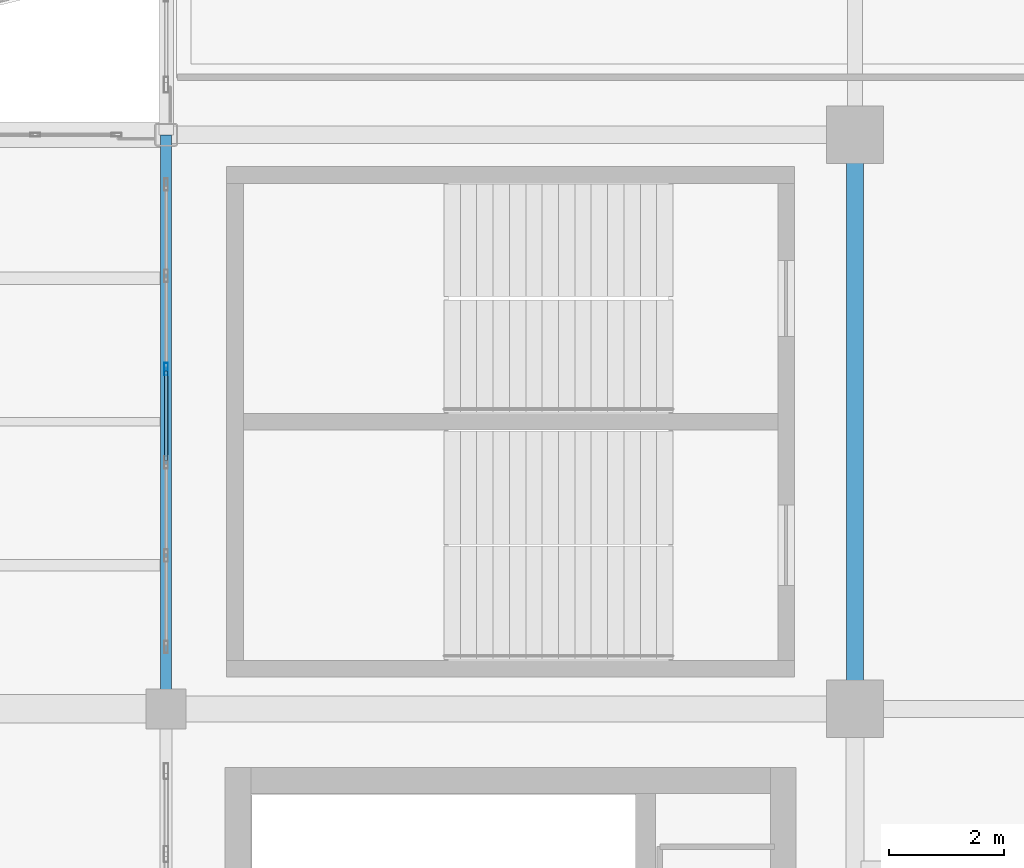
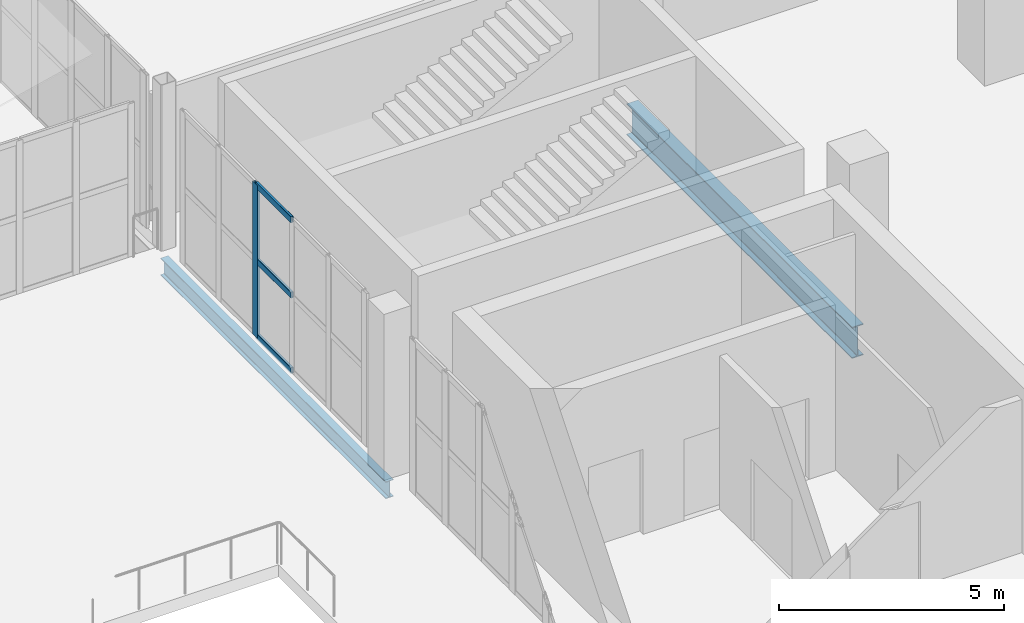
# One storey, part 25 of 108: 4 members, 2 beams, 1 element without a shape of its own.
"""IFC4 building model written with IfcOpenShell, lengths in metres."""

import ifcopenshell
import ifcopenshell.guid

model = None  # the IFC model being written
_history = None  # IfcOwnerHistory: only IFC2X3 demands one
_inside = {}  # id of a spatial element -> (the spatial element, [elements in it])
_under = {}  # id of a project, library or spatial element -> (it, [spatial elements below it])
_declared = {}  # id of a project -> (the project, [libraries it declares])
_typed = {}  # id of a type object -> (the type object, [elements of that type])
_made_of = {}  # id of a material, layer set ... -> (it, [elements and type objects made of it])


def new_model(schema):
    """Start an empty IFC model of exactly this schema.

    Asked for "IFC4X3", IfcOpenShell would pick the latest addendum, in which some entities
    have other attributes; the version numbers below select the first issue.
    IFC2X3 requires an IfcOwnerHistory on every rooted entity: one is made here for all.
    """
    global model, _history
    if schema == "IFC4X3":
        model = ifcopenshell.file(schema_version=(4, 3, 0, 0))
    else:
        model = ifcopenshell.file(schema=schema)
    _inside.clear()
    _under.clear()
    _declared.clear()
    _typed.clear()
    _made_of.clear()
    _history = None
    if model.schema == "IFC2X3":
        org = make("IfcOrganization", Name="unknown")
        user = make(
            "IfcPersonAndOrganization",
            ThePerson=make("IfcPerson", FamilyName="unknown"),
            TheOrganization=org,
        )
        app = make(
            "IfcApplication",
            ApplicationDeveloper=org,
            Version="unknown",
            ApplicationFullName="unknown",
            ApplicationIdentifier="unknown",
        )
        _history = make(
            "IfcOwnerHistory",
            OwningUser=user,
            OwningApplication=app,
            ChangeAction="ADDED",
            CreationDate=0,
        )
    return model


def make(cls, **values):
    """One entity of the class cls with the attributes given. An attribute that is None is left unset."""
    return model.create_entity(
        cls, **{name: value for name, value in values.items() if value is not None}
    )


def rooted(cls, **values):
    """An entity with a GlobalId (a new one), such as an element, a storey or a relation."""
    return make(cls, GlobalId=ifcopenshell.guid.new(), OwnerHistory=_history, **values)


def si_unit(unit_type, name, prefix=None):
    """IfcSIUnit, for example si_unit("LENGTHUNIT", "METRE", prefix="MILLI")."""
    return make("IfcSIUnit", UnitType=unit_type, Prefix=prefix, Name=name)


def assignment(units):
    """IfcUnitAssignment: the units of a project."""
    return None if units is None else make("IfcUnitAssignment", Units=units)


def point(xyz):
    """IfcCartesianPoint."""
    return None if xyz is None else make("IfcCartesianPoint", Coordinates=xyz)


def direction(xyz):
    """IfcDirection."""
    return None if xyz is None else make("IfcDirection", DirectionRatios=xyz)


def frame(location, z_axis=None, x_axis=None):
    """IfcAxis2Placement3D, a coordinate frame: its origin and axes. An axis left out is left unset."""
    return make(
        "IfcAxis2Placement3D",
        Location=point(location),
        Axis=direction(z_axis),
        RefDirection=direction(x_axis),
    )


def frame_2d(location, x_axis=None):
    """IfcAxis2Placement2D, a coordinate frame in the plane: its origin and x axis."""
    return make(
        "IfcAxis2Placement2D", Location=point(location), RefDirection=direction(x_axis)
    )


def origin():
    """The frame at (0, 0, 0) with its axes left unset."""
    return frame((0.0, 0.0, 0.0))


def origin_2d():
    """The frame at (0, 0) in the plane with its x axis left unset."""
    return frame_2d((0.0, 0.0))


def place(relative_to, where):
    """IfcLocalPlacement: puts the frame where relative to a parent placement (None: the world)."""
    return make(
        "IfcLocalPlacement", PlacementRelTo=relative_to, RelativePlacement=where
    )


def context(
    kind, dimensions, precision=None, world=None, true_north=None, identifier=None
):
    """IfcGeometricRepresentationContext, for example the 3D "Model" context."""
    return make(
        "IfcGeometricRepresentationContext",
        ContextIdentifier=identifier,
        ContextType=kind,
        CoordinateSpaceDimension=dimensions,
        Precision=precision,
        WorldCoordinateSystem=world,
        TrueNorth=true_north,
    )


def subcontext(parent, identifier, kind, view, scale=None):
    """IfcGeometricRepresentationSubContext, for example "Body" below "Model"."""
    return make(
        "IfcGeometricRepresentationSubContext",
        ContextIdentifier=identifier,
        ContextType=kind,
        ParentContext=parent,
        TargetScale=scale,
        TargetView=view,
    )


def project(units=None, contexts=None):
    """IfcProject with its units and contexts."""
    return rooted(
        "IfcProject",
        Name="project",
        RepresentationContexts=contexts,
        UnitsInContext=assignment(units),
    )


def spatial(cls, under=None, at=None, **own):
    """A site, building, storey or space (cls), placed at a placement, below another one or the project."""
    s = rooted(cls, ObjectPlacement=at, **own)
    if under is not None:
        _under.setdefault(under.id(), (under, []))[1].append(s)
    return s


def profile(cls, at=None, kind="AREA", **sizes):
    """A parametric profile (cls). Its sizes go by their IFC names, for example OverallWidth=200.0."""
    return make(cls, ProfileType=kind, Position=at, **sizes)


def hollow_rectangle(**sizes):
    """IfcRectangleHollowProfileDef."""
    return profile("IfcRectangleHollowProfileDef", **sizes)


def i_section(**sizes):
    """IfcIShapeProfileDef."""
    return profile("IfcIShapeProfileDef", **sizes)


def extrude(swept, where, along, depth):
    """IfcExtrudedAreaSolid: the profile swept, set in the frame where, extruded along a direction by depth."""
    return make(
        "IfcExtrudedAreaSolid",
        SweptArea=swept,
        Position=where,
        ExtrudedDirection=direction(along),
        Depth=depth,
    )


def shape(context_of_items, identifier, shape_type, items):
    """IfcShapeRepresentation: the items that make up one representation, for example the "Body"."""
    return make(
        "IfcShapeRepresentation",
        ContextOfItems=context_of_items,
        RepresentationIdentifier=identifier,
        RepresentationType=shape_type,
        Items=items,
    )


def material(Name=None, Category=None):
    """IfcMaterial."""
    return make("IfcMaterial", Name=Name, Category=Category)


def layer(
    of_material, thickness, ventilated=None, Name=None, Category=None, Priority=None
):
    """IfcMaterialLayer: one layer of a wall or slab, of a material (None: an air gap)."""
    return make(
        "IfcMaterialLayer",
        Material=of_material,
        LayerThickness=thickness,
        IsVentilated=ventilated,
        Name=Name,
        Category=Category,
        Priority=Priority,
    )


def layer_set(layers, Name=None):
    """IfcMaterialLayerSet."""
    return make("IfcMaterialLayerSet", MaterialLayers=layers, LayerSetName=Name)


def material_profile(
    of_material, cross_section, Name=None, Category=None, Priority=None
):
    """IfcMaterialProfile: a cross section and its material."""
    return make(
        "IfcMaterialProfile",
        Name=Name,
        Material=of_material,
        Profile=cross_section,
        Priority=Priority,
        Category=Category,
    )


def profile_set(profiles, Name=None, composite=None):
    """IfcMaterialProfileSet."""
    return make(
        "IfcMaterialProfileSet",
        Name=Name,
        MaterialProfiles=profiles,
        CompositeProfile=composite,
    )


def made_of(thing, what):
    """Note that an element or type object is made of a material, layer set ...; save() writes the relation."""
    if what is not None:
        _made_of.setdefault(what.id(), (what, []))[1].append(thing)
    return thing


def type_object(cls, material=None, **own):
    """A type object (cls), such as IfcWallType, which elements share."""
    return made_of(rooted(cls, **own), material)


def element(
    cls,
    number,
    at=None,
    inside=None,
    cuts=None,
    type_object=None,
    material=None,
    context=None,
    identifier="Body",
    shape_type=None,
    held_by="IfcProductDefinitionShape",
    body=None,
    shapes=None,
    **own,
):
    """One element of the class cls, such as IfcWall. Its Tag is "e" and its number.

    at: its placement. inside: the storey or other place that contains it. cuts: it is an
    opening in that element (IfcRelVoidsElement). A single representation is given by context,
    identifier, shape_type and body (its items); several are given by shapes. held_by: the class
    of the entity that holds the representations. save() writes the other relations.
    """
    e = rooted(cls, Tag="e%d" % number, ObjectPlacement=at, **own)
    if body is not None:
        shapes = [shape(context, identifier, shape_type, body)]
    if shapes is not None:
        e.Representation = make(held_by, Representations=shapes)
    if inside is not None:
        _inside.setdefault(inside.id(), (inside, []))[1].append(e)
    if cuts is not None:
        rooted(
            "IfcRelVoidsElement", RelatingBuildingElement=cuts, RelatedOpeningElement=e
        )
    if type_object is not None:
        _typed.setdefault(type_object.id(), (type_object, []))[1].append(e)
    return made_of(e, material)


def aggregate(whole, parts):
    """IfcRelAggregates: a whole, such as a stair, and the parts it consists of."""
    return rooted("IfcRelAggregates", RelatingObject=whole, RelatedObjects=parts)


def save(model, path):
    """Write the relations noted so far, then the file.

    IfcRelAggregates (storeys below a building ...), IfcRelContainedInSpatialStructure (elements
    in a storey), IfcRelDefinesByType, IfcRelAssociatesMaterial and IfcRelDeclares: one each for
    every whole, place, type object, material and project.
    """
    for whole, parts in _under.values():
        aggregate(whole, parts)
    for where, things in _inside.values():
        rooted(
            "IfcRelContainedInSpatialStructure",
            RelatedElements=things,
            RelatingStructure=where,
        )
    for kind, things in _typed.values():
        rooted("IfcRelDefinesByType", RelatedObjects=things, RelatingType=kind)
    for what, things in _made_of.values():
        rooted("IfcRelAssociatesMaterial", RelatedObjects=things, RelatingMaterial=what)
    for by, libraries in _declared.values():
        rooted("IfcRelDeclares", RelatingContext=by, RelatedDefinitions=libraries)
    model.write(path)


model = new_model("IFC4")

# Units and contexts
model_context = context("Model", 3, precision=1e-05, world=origin(), true_north=direction((0.0, 1.0)))
body_context = subcontext(model_context, "Body", "Model", "MODEL_VIEW")
ifc_project = project(units=[si_unit("LENGTHUNIT", "METRE"), si_unit("AREAUNIT", "SQUARE_METRE"), si_unit("VOLUMEUNIT", "CUBIC_METRE"), si_unit("PLANEANGLEUNIT", "RADIAN"), si_unit("MASSUNIT", "GRAM", prefix="KILO")], contexts=[model_context])

# Site, building, storey
site_placement = place(None, origin())
site = spatial("IfcSite", under=ifc_project, at=site_placement, CompositionType="ELEMENT")
building_placement = place(site_placement, origin())
building = spatial("IfcBuilding", under=site, at=building_placement, Name="Brinegate Civic Arena", CompositionType="ELEMENT")
storey_placement = place(building_placement, frame((0.0, 0.0, 10.199951171875)))
storey = spatial("IfcBuildingStorey", under=building, at=storey_placement, Name="L02", CompositionType="ELEMENT", Elevation=10.199951171875)

# Curtain wall, members
ifc_material_1 = material(Name="Marine grade aluminium", Category="aluminium")
ifc_layer = layer(ifc_material_1, 0.199951171875, Name="Marine grade aluminium")
ifc_layer_set = layer_set([ifc_layer], Name="Marine grade aluminium")
curtain_wall_type = type_object("IfcCurtainWallType", Name="CW-BOWL-GLAZED-01", PredefinedType="USERDEFINED", material=ifc_layer_set)
curtain_wall_placement = place(storey_placement, origin())
curtain_wall = element("IfcCurtainWall", 1, at=curtain_wall_placement, inside=storey, type_object=curtain_wall_type, Name="Curtain Wall CWA-081", ObjectType="GLAZED CURTAIN WALL", PredefinedType="USERDEFINED")
ifc_material_profile_1 = material_profile(ifc_material_1, hollow_rectangle(XDim=0.06494140625, YDim=0.219970703125, WallThickness=0.006103515625, InnerFilletRadius=0.00390625, OuterFilletRadius=0.008056640625, at=origin_2d()), Name="MUL65X220")
ifc_profile_set_1 = profile_set([ifc_material_profile_1], Name="Marine grade aluminium")
member_type_1 = type_object("IfcMemberType", Name="CW-MULLION-65X220", PredefinedType="MULLION", material=ifc_profile_set_1)
member_1_placement = place(storey_placement, frame((48.0, 47.918212890625, 0.0), z_axis=(0.0, 0.0, 1.0), x_axis=(-1.0, 0.0, 0.0)))
member_1 = element("IfcMember", 2, at=member_1_placement, type_object=member_type_1, Name="CWA-081 mullion 4", PredefinedType="MULLION", context=body_context, shape_type="SweptSolid", body=[
    extrude(hollow_rectangle(XDim=0.06494140625, YDim=0.219970703125, WallThickness=0.006103515625, InnerFilletRadius=0.00390625, OuterFilletRadius=0.008056640625, at=origin_2d()), origin(), (0.0, 0.0, 1.0), 4.150146484375),
])
ifc_material_profile_2 = material_profile(ifc_material_1, hollow_rectangle(XDim=0.06494140625, YDim=0.1650390625, WallThickness=0.0048828125, InnerFilletRadius=0.00390625, OuterFilletRadius=0.008056640625, at=origin_2d()), Name="TRN65X165")
ifc_profile_set_2 = profile_set([ifc_material_profile_2], Name="Marine grade aluminium")
member_type_2 = type_object("IfcMemberType", Name="CW-TRANSOM-65X165", PredefinedType="USERDEFINED", material=ifc_profile_set_2)
member_2_placement = place(storey_placement, frame((48.0, 46.326416015625, 0.032470703125), z_axis=(0.0, 1.0, 0.0), x_axis=(-1.0, 0.0, 0.0)))
member_2 = element("IfcMember", 3, at=member_2_placement, type_object=member_type_2, Name="CWA-081 transom 3.1", ObjectType="TRANSOM", PredefinedType="USERDEFINED", context=body_context, shape_type="SweptSolid", body=[
    extrude(hollow_rectangle(XDim=0.06494140625, YDim=0.1650390625, WallThickness=0.0048828125, InnerFilletRadius=0.00390625, OuterFilletRadius=0.008056640625, at=origin_2d()), origin(), (0.0, 0.0, 1.0), 1.559326171875),
])
member_3_placement = place(storey_placement, frame((48.0, 46.326416015625, 2.074951171875), z_axis=(0.0, 1.0, 0.0), x_axis=(-1.0, 0.0, 0.0)))
member_3 = element("IfcMember", 4, at=member_3_placement, type_object=member_type_2, Name="CWA-081 transom 3.2", ObjectType="TRANSOM", PredefinedType="USERDEFINED", context=body_context, shape_type="SweptSolid", body=[
    extrude(hollow_rectangle(XDim=0.06494140625, YDim=0.1650390625, WallThickness=0.0048828125, InnerFilletRadius=0.00390625, OuterFilletRadius=0.008056640625, at=origin_2d()), origin(), (0.0, 0.0, 1.0), 1.559326171875),
])
member_4_placement = place(storey_placement, frame((48.0, 46.326416015625, 4.117431640625), z_axis=(0.0, 1.0, 0.0), x_axis=(-1.0, 0.0, 0.0)))
member_4 = element("IfcMember", 5, at=member_4_placement, type_object=member_type_2, Name="CWA-081 transom 3.3", ObjectType="TRANSOM", PredefinedType="USERDEFINED", context=body_context, shape_type="SweptSolid", body=[
    extrude(hollow_rectangle(XDim=0.06494140625, YDim=0.1650390625, WallThickness=0.0048828125, InnerFilletRadius=0.00390625, OuterFilletRadius=0.008056640625, at=origin_2d()), origin(), (0.0, 0.0, 1.0), 1.559326171875),
])
aggregate(curtain_wall, [member_1, member_2, member_3, member_4])

# Beams
ifc_material_2 = material(Name="Steel S355", Category="steel")
ifc_material_profile_3 = material_profile(ifc_material_2, i_section(OverallWidth=0.2939453125, OverallDepth=0.85107421875, WebThickness=0.01611328125, FlangeThickness=0.027099609375, FilletRadius=0.02197265625, at=origin_2d()), Name="W840X226")
ifc_profile_set_3 = profile_set([ifc_material_profile_3], Name="Steel S355")
beam_type_1 = type_object("IfcBeamType", Name="GIRDER-W840X226", PredefinedType="BEAM", material=ifc_profile_set_3)
beam_1_placement = place(storey_placement, frame((60.0, 42.0, -0.7548828125), z_axis=(0.0, 1.0, 0.0), x_axis=(-1.0, 0.0, 0.0)))
element("IfcBeam", 6, at=beam_1_placement, inside=storey, type_object=beam_type_1, Name="Floor Girder BM-L02-GY-05-04", PredefinedType="BEAM", context=body_context, shape_type="SweptSolid", body=[
    extrude(i_section(OverallWidth=0.2939453125, OverallDepth=0.85107421875, WebThickness=0.01611328125, FlangeThickness=0.027099609375, FilletRadius=0.02197265625, at=origin_2d()), origin(), (0.0, 0.0, 1.0), 10.0),
])
ifc_material_profile_4 = material_profile(ifc_material_2, i_section(OverallWidth=0.193115234375, OverallDepth=0.466064453125, WebThickness=0.010986328125, FlangeThickness=0.01904296875, FilletRadius=0.014892578125, at=origin_2d()), Name="W460X97")
ifc_profile_set_4 = profile_set([ifc_material_profile_4], Name="Steel S355")
beam_type_2 = type_object("IfcBeamType", Name="SPANDREL-W460X97", PredefinedType="SPANDREL", material=ifc_profile_set_4)
beam_2_placement = place(storey_placement, frame((48.0, 42.0, -0.56298828125), z_axis=(0.0, 1.0, 0.0), x_axis=(-1.0, 0.0, 0.0)))
element("IfcBeam", 7, at=beam_2_placement, inside=storey, type_object=beam_type_2, Name="Floor Girder BM-L02-GY-04-04", PredefinedType="SPANDREL", context=body_context, shape_type="SweptSolid", body=[
    extrude(i_section(OverallWidth=0.193115234375, OverallDepth=0.466064453125, WebThickness=0.010986328125, FlangeThickness=0.01904296875, FilletRadius=0.014892578125, at=origin_2d()), origin(), (0.0, 0.0, 1.0), 10.0),
])

save(model, "model.ifc")
